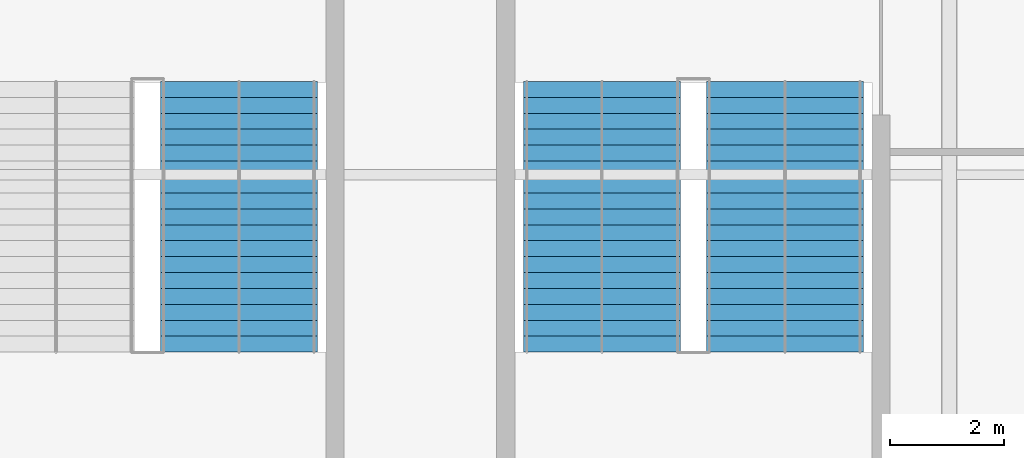
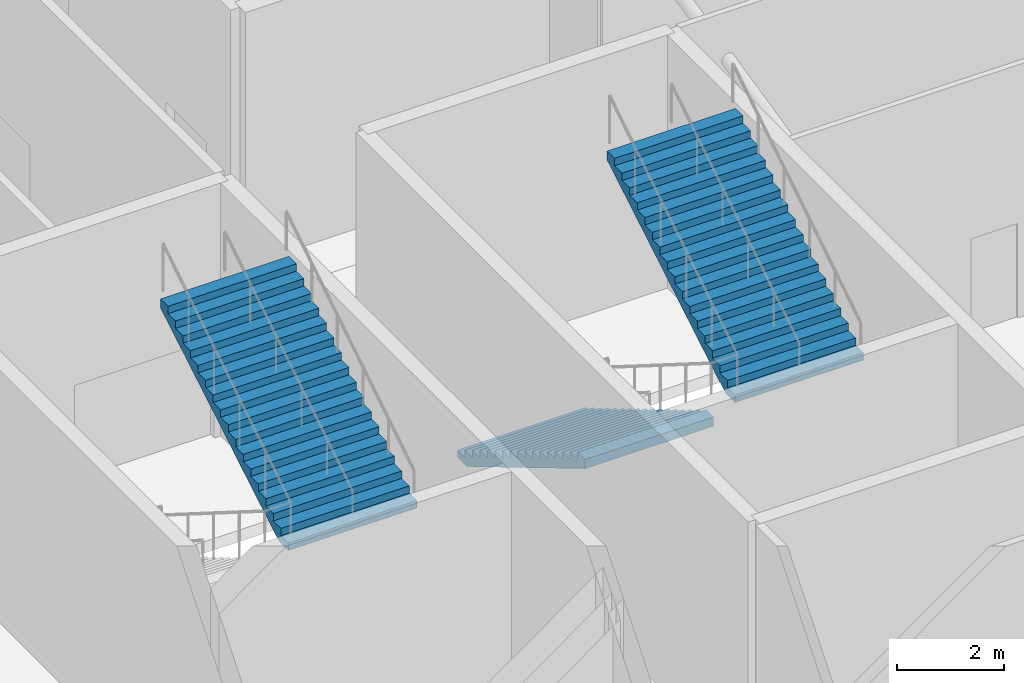
# One storey, part 66 of 84: 3 stair flights, 2 elements without a shape of their own.
"""IFC4 building model written with IfcOpenShell, lengths in metres."""

from ifc_helpers import new_model, si_unit, direction, frame, origin, place, context, subcontext, project, spatial, polygons, material, type_object, element, aggregate, save


model = new_model("IFC4")

# Units and contexts
model_context = context("Model", 3, precision=1e-05, world=origin(), true_north=direction((0.0, 1.0)))
body_context = subcontext(model_context, "Body", "Model", "MODEL_VIEW")
ifc_project = project(units=[si_unit("LENGTHUNIT", "METRE"), si_unit("AREAUNIT", "SQUARE_METRE"), si_unit("VOLUMEUNIT", "CUBIC_METRE"), si_unit("PLANEANGLEUNIT", "RADIAN"), si_unit("MASSUNIT", "GRAM", prefix="KILO")], contexts=[model_context])

# Site, building, storey
site_placement = place(None, origin())
site = spatial("IfcSite", under=ifc_project, at=site_placement, CompositionType="ELEMENT")
building_placement = place(site_placement, origin())
building = spatial("IfcBuilding", under=site, at=building_placement, Name="Kisiwana Market Hall", CompositionType="ELEMENT")
storey_placement = place(building_placement, origin())
storey = spatial("IfcBuildingStorey", under=building, at=storey_placement, Name="L00", CompositionType="ELEMENT", Elevation=0.0)

# Stair, stair flights
ifc_material_1 = material(Name="Concrete C32/40", Category="concrete")
stair_type = type_object("IfcStairType", Name="ST-ESC-6000", PredefinedType="TWO_STRAIGHT_RUN_STAIR", material=ifc_material_1)
stair_1_placement = place(storey_placement, origin())
stair_1 = element("IfcStair", 1, at=stair_1_placement, inside=storey, type_object=stair_type, Name="Escape stair ST-E4-L00", PredefinedType="TWO_STRAIGHT_RUN_STAIR")
ifc_material_2 = material(Name="Concrete C32/40", Category="concrete")
stair_flight_type = type_object("IfcStairFlightType", Name="SF-ESC-6000", PredefinedType="STRAIGHT", material=ifc_material_2)
stair_flight_1_placement = place(storey_placement, frame((182.889892578125, 77.639892578125, 0.0), z_axis=(0.0, 0.0, 1.0), x_axis=(0.0, -1.0, 0.0)))
stair_flight_1 = element("IfcStairFlight", 2, at=stair_flight_1_placement, type_object=stair_flight_type, Name="ST-E4-L00 flight 1", NumberOfRisers=18, NumberOfTreads=17, PredefinedType="STRAIGHT", RiserHeight=0.166667, TreadLength=0.28, context=body_context, shape_type="Tessellation", body=[
    polygons([(0.0, -1.380127, 0.0), (0.0, -0.690125, 0.0), (0.0, -0.000122, 0.0), (0.0, 0.68988, 0.0), (0.0, 1.379883, 0.0), (0.0, -1.380127, 0.166748), (0.0, -0.690125, 0.166748), (0.0, -0.000122, 0.166748), (0.0, 0.68988, 0.166748), (0.0, 1.379883, 0.166748), (0.280029, -1.380127, 0.166748), (0.280029, -0.690125, 0.166748), (0.280029, -0.000122, 0.166748), (0.280029, 0.68988, 0.166748), (0.280029, 1.379883, 0.166748), (0.280029, -1.380127, 0.333252), (0.280029, -0.690125, 0.333252), (0.280029, -0.000122, 0.333252), (0.280029, 0.68988, 0.333252), (0.280029, 1.379883, 0.333252), (0.560059, -1.380127, 0.333252), (0.560059, -0.690125, 0.333252), (0.560059, -0.000122, 0.333252), (0.560059, 0.68988, 0.333252), (0.560059, 1.379883, 0.333252), (0.560059, -1.380127, 0.5), (0.560059, -0.690125, 0.5), (0.560059, -0.000122, 0.5), (0.560059, 0.68988, 0.5), (0.560059, 1.379883, 0.5), (0.840088, -1.380127, 0.5), (0.840088, -0.690125, 0.5), (0.840088, -0.000122, 0.5), (0.840088, 0.68988, 0.5), (0.840088, 1.379883, 0.5), (0.840088, -1.380127, 0.666748), (0.840088, -0.690125, 0.666748), (0.840088, -0.000122, 0.666748), (0.840088, 0.68988, 0.666748), (0.840088, 1.379883, 0.666748), (1.120117, -1.380127, 0.666748), (1.120117, -0.690125, 0.666748), (1.120117, -0.000122, 0.666748), (1.120117, 0.68988, 0.666748), (1.120117, 1.379883, 0.666748), (1.120117, -1.380127, 0.833252), (1.120117, -0.690125, 0.833252), (1.120117, -0.000122, 0.833252), (1.120117, 0.68988, 0.833252), (1.120117, 1.379883, 0.833252), (1.399902, -1.380127, 0.833252), (1.399902, -0.690125, 0.833252), (1.399902, -0.000122, 0.833252), (1.399902, 0.68988, 0.833252), (1.399902, 1.379883, 0.833252), (1.399902, -1.380127, 1.0), (1.399902, -0.690125, 1.0), (1.399902, -0.000122, 1.0), (1.399902, 0.68988, 1.0), (1.399902, 1.379883, 1.0), (1.679932, -1.380127, 1.0), (1.679932, -0.690125, 1.0), (1.679932, -0.000122, 1.0), (1.679932, 0.68988, 1.0), (1.679932, 1.379883, 1.0), (1.679932, -1.380127, 1.166748), (1.679932, -0.690125, 1.166748), (1.679932, -0.000122, 1.166748), (1.679932, 0.68988, 1.166748), (1.679932, 1.379883, 1.166748), (1.959961, -1.380127, 1.166748), (1.959961, -0.690125, 1.166748), (1.959961, -0.000122, 1.166748), (1.959961, 0.68988, 1.166748), (1.959961, 1.379883, 1.166748), (1.959961, -1.380127, 1.333252), (1.959961, -0.690125, 1.333252), (1.959961, -0.000122, 1.333252), (1.959961, 0.68988, 1.333252), (1.959961, 1.379883, 1.333252), (2.23999, -1.380127, 1.333252), (2.23999, -0.690125, 1.333252), (2.23999, -0.000122, 1.333252), (2.23999, 0.68988, 1.333252), (2.23999, 1.379883, 1.333252), (2.23999, -1.380127, 1.5), (2.23999, -0.690125, 1.5), (2.23999, -0.000122, 1.5), (2.23999, 0.68988, 1.5), (2.23999, 1.379883, 1.5), (2.52002, -1.380127, 1.5), (2.52002, -0.690125, 1.5), (2.52002, -0.000122, 1.5), (2.52002, 0.68988, 1.5), (2.52002, 1.379883, 1.5), (2.52002, -1.380127, 1.666748), (2.52002, -0.690125, 1.666748), (2.52002, -0.000122, 1.666748), (2.52002, 0.68988, 1.666748), (2.52002, 1.379883, 1.666748), (2.800049, -1.380127, 1.666748), (2.800049, -0.690125, 1.666748), (2.800049, -0.000122, 1.666748), (2.800049, 0.68988, 1.666748), (2.800049, 1.379883, 1.666748), (2.800049, -1.380127, 1.833252), (2.800049, -0.690125, 1.833252), (2.800049, -0.000122, 1.833252), (2.800049, 0.68988, 1.833252), (2.800049, 1.379883, 1.833252), (3.080078, -1.380127, 1.833252), (3.080078, -0.690125, 1.833252), (3.080078, -0.000122, 1.833252), (3.080078, 0.68988, 1.833252), (3.080078, 1.379883, 1.833252), (3.080078, -1.380127, 2.0), (3.080078, -0.690125, 2.0), (3.080078, -0.000122, 2.0), (3.080078, 0.68988, 2.0), (3.080078, 1.379883, 2.0), (3.360107, -1.380127, 2.0), (3.360107, -0.690125, 2.0), (3.360107, -0.000122, 2.0), (3.360107, 0.68988, 2.0), (3.360107, 1.379883, 2.0), (3.360107, -1.380127, 2.166748), (3.360107, -0.690125, 2.166748), (3.360107, -0.000122, 2.166748), (3.360107, 0.68988, 2.166748), (3.360107, 1.379883, 2.166748), (3.639893, -1.380127, 2.166748), (3.639893, -0.690125, 2.166748), (3.639893, -0.000122, 2.166748), (3.639893, 0.68988, 2.166748), (3.639893, 1.379883, 2.166748), (3.639893, -1.380127, 2.333252), (3.639893, -0.690125, 2.333252), (3.639893, -0.000122, 2.333252), (3.639893, 0.68988, 2.333252), (3.639893, 1.379883, 2.333252), (3.919922, -1.380127, 2.333252), (3.919922, -0.690125, 2.333252), (3.919922, -0.000122, 2.333252), (3.919922, 0.68988, 2.333252), (3.919922, 1.379883, 2.333252), (3.919922, -1.380127, 2.5), (3.919922, -0.690125, 2.5), (3.919922, -0.000122, 2.5), (3.919922, 0.68988, 2.5), (3.919922, 1.379883, 2.5), (4.199951, -1.380127, 2.5), (4.199951, -0.690125, 2.5), (4.199951, -0.000122, 2.5), (4.199951, 0.68988, 2.5), (4.199951, 1.379883, 2.5), (4.199951, -1.380127, 2.666748), (4.199951, -0.690125, 2.666748), (4.199951, -0.000122, 2.666748), (4.199951, 0.68988, 2.666748), (4.199951, 1.379883, 2.666748), (4.47998, -1.380127, 2.666748), (4.47998, -0.690125, 2.666748), (4.47998, -0.000122, 2.666748), (4.47998, 0.68988, 2.666748), (4.47998, 1.379883, 2.666748), (4.47998, -1.380127, 2.833252), (4.47998, -0.690125, 2.833252), (4.47998, -0.000122, 2.833252), (4.47998, 0.68988, 2.833252), (4.47998, 1.379883, 2.833252), (4.76001, -1.380127, 2.833252), (4.76001, -0.690125, 2.833252), (4.76001, -0.000122, 2.833252), (4.76001, 0.68988, 2.833252), (4.76001, 1.379883, 2.833252), (4.76001, -1.380127, 2.624023), (4.76001, -0.690125, 2.624023), (4.76001, -0.000122, 2.624023), (4.76001, 0.68988, 2.624023), (4.76001, 1.379883, 2.624023), (0.351807, -1.380127, 0.0), (0.351807, -0.690125, 0.0), (0.351807, -0.000122, 0.0), (0.351807, 0.68988, 0.0), (0.351807, 1.379883, 0.0)], [[[1, 6, 7, 2]], [[2, 7, 8, 3]], [[3, 8, 9, 4]], [[4, 9, 10, 5]], [[6, 11, 12, 7]], [[7, 12, 13, 8]], [[8, 13, 14, 9]], [[9, 14, 15, 10]], [[11, 16, 17, 12]], [[12, 17, 18, 13]], [[13, 18, 19, 14]], [[14, 19, 20, 15]], [[16, 21, 22, 17]], [[17, 22, 23, 18]], [[18, 23, 24, 19]], [[19, 24, 25, 20]], [[21, 26, 27, 22]], [[22, 27, 28, 23]], [[23, 28, 29, 24]], [[24, 29, 30, 25]], [[26, 31, 32, 27]], [[27, 32, 33, 28]], [[28, 33, 34, 29]], [[29, 34, 35, 30]], [[31, 36, 37, 32]], [[32, 37, 38, 33]], [[33, 38, 39, 34]], [[34, 39, 40, 35]], [[36, 41, 42, 37]], [[37, 42, 43, 38]], [[38, 43, 44, 39]], [[39, 44, 45, 40]], [[41, 46, 47, 42]], [[42, 47, 48, 43]], [[43, 48, 49, 44]], [[44, 49, 50, 45]], [[46, 51, 52, 47]], [[47, 52, 53, 48]], [[48, 53, 54, 49]], [[49, 54, 55, 50]], [[51, 56, 57, 52]], [[52, 57, 58, 53]], [[53, 58, 59, 54]], [[54, 59, 60, 55]], [[56, 61, 62, 57]], [[57, 62, 63, 58]], [[58, 63, 64, 59]], [[59, 64, 65, 60]], [[61, 66, 67, 62]], [[62, 67, 68, 63]], [[63, 68, 69, 64]], [[64, 69, 70, 65]], [[66, 71, 72, 67]], [[67, 72, 73, 68]], [[68, 73, 74, 69]], [[69, 74, 75, 70]], [[71, 76, 77, 72]], [[72, 77, 78, 73]], [[73, 78, 79, 74]], [[74, 79, 80, 75]], [[76, 81, 82, 77]], [[77, 82, 83, 78]], [[78, 83, 84, 79]], [[79, 84, 85, 80]], [[81, 86, 87, 82]], [[82, 87, 88, 83]], [[83, 88, 89, 84]], [[84, 89, 90, 85]], [[86, 91, 92, 87]], [[87, 92, 93, 88]], [[88, 93, 94, 89]], [[89, 94, 95, 90]], [[91, 96, 97, 92]], [[92, 97, 98, 93]], [[93, 98, 99, 94]], [[94, 99, 100, 95]], [[96, 101, 102, 97]], [[97, 102, 103, 98]], [[98, 103, 104, 99]], [[99, 104, 105, 100]], [[101, 106, 107, 102]], [[102, 107, 108, 103]], [[103, 108, 109, 104]], [[104, 109, 110, 105]], [[106, 111, 112, 107]], [[107, 112, 113, 108]], [[108, 113, 114, 109]], [[109, 114, 115, 110]], [[111, 116, 117, 112]], [[112, 117, 118, 113]], [[113, 118, 119, 114]], [[114, 119, 120, 115]], [[116, 121, 122, 117]], [[117, 122, 123, 118]], [[118, 123, 124, 119]], [[119, 124, 125, 120]], [[121, 126, 127, 122]], [[122, 127, 128, 123]], [[123, 128, 129, 124]], [[124, 129, 130, 125]], [[126, 131, 132, 127]], [[127, 132, 133, 128]], [[128, 133, 134, 129]], [[129, 134, 135, 130]], [[131, 136, 137, 132]], [[132, 137, 138, 133]], [[133, 138, 139, 134]], [[134, 139, 140, 135]], [[136, 141, 142, 137]], [[137, 142, 143, 138]], [[138, 143, 144, 139]], [[139, 144, 145, 140]], [[141, 146, 147, 142]], [[142, 147, 148, 143]], [[143, 148, 149, 144]], [[144, 149, 150, 145]], [[146, 151, 152, 147]], [[147, 152, 153, 148]], [[148, 153, 154, 149]], [[149, 154, 155, 150]], [[151, 156, 157, 152]], [[152, 157, 158, 153]], [[153, 158, 159, 154]], [[154, 159, 160, 155]], [[156, 161, 162, 157]], [[157, 162, 163, 158]], [[158, 163, 164, 159]], [[159, 164, 165, 160]], [[161, 166, 167, 162]], [[162, 167, 168, 163]], [[163, 168, 169, 164]], [[164, 169, 170, 165]], [[166, 171, 172, 167]], [[167, 172, 173, 168]], [[168, 173, 174, 169]], [[169, 174, 175, 170]], [[171, 176, 177, 172]], [[172, 177, 178, 173]], [[173, 178, 179, 174]], [[174, 179, 180, 175]], [[176, 181, 182, 177]], [[177, 182, 183, 178]], [[178, 183, 184, 179]], [[179, 184, 185, 180]], [[181, 1, 2, 182]], [[182, 2, 3, 183]], [[183, 3, 4, 184]], [[184, 4, 5, 185]], [[181, 176, 171, 166, 161, 156, 151, 146, 141, 136, 131, 126, 121, 116, 111, 106, 101, 96, 91, 86, 81, 76, 71, 66, 61, 56, 51, 46, 41, 36, 31, 26, 21, 16, 11, 6, 1]], [[5, 10, 15, 20, 25, 30, 35, 40, 45, 50, 55, 60, 65, 70, 75, 80, 85, 90, 95, 100, 105, 110, 115, 120, 125, 130, 135, 140, 145, 150, 155, 160, 165, 170, 175, 180, 185]]], closed=True),
])
stair_flight_2_placement = place(storey_placement, frame((186.110107421875, 72.8798828125, 3.0), z_axis=(0.0, 0.0, 1.0), x_axis=(0.0, 1.0, 0.0)))
stair_flight_2 = element("IfcStairFlight", 3, at=stair_flight_2_placement, type_object=stair_flight_type, Name="ST-E4-L00 flight 2", NumberOfRisers=18, NumberOfTreads=17, PredefinedType="STRAIGHT", RiserHeight=0.166667, TreadLength=0.28, context=body_context, shape_type="Tessellation", body=[
    polygons([(0.0, -1.380127, 0.0), (0.0, -0.690125, 0.0), (0.0, -0.000122, 0.0), (0.0, 0.68988, 0.0), (0.0, 1.379883, 0.0), (0.0, -1.380127, 0.166748), (0.0, -0.690125, 0.166748), (0.0, -0.000122, 0.166748), (0.0, 0.68988, 0.166748), (0.0, 1.379883, 0.166748), (0.280029, -1.380127, 0.166748), (0.280029, -0.690125, 0.166748), (0.280029, -0.000122, 0.166748), (0.280029, 0.68988, 0.166748), (0.280029, 1.379883, 0.166748), (0.280029, -1.380127, 0.333252), (0.280029, -0.690125, 0.333252), (0.280029, -0.000122, 0.333252), (0.280029, 0.68988, 0.333252), (0.280029, 1.379883, 0.333252), (0.560059, -1.380127, 0.333252), (0.560059, -0.690125, 0.333252), (0.560059, -0.000122, 0.333252), (0.560059, 0.68988, 0.333252), (0.560059, 1.379883, 0.333252), (0.560059, -1.380127, 0.5), (0.560059, -0.690125, 0.5), (0.560059, -0.000122, 0.5), (0.560059, 0.68988, 0.5), (0.560059, 1.379883, 0.5), (0.840088, -1.380127, 0.5), (0.840088, -0.690125, 0.5), (0.840088, -0.000122, 0.5), (0.840088, 0.68988, 0.5), (0.840088, 1.379883, 0.5), (0.840088, -1.380127, 0.666748), (0.840088, -0.690125, 0.666748), (0.840088, -0.000122, 0.666748), (0.840088, 0.68988, 0.666748), (0.840088, 1.379883, 0.666748), (1.120117, -1.380127, 0.666748), (1.120117, -0.690125, 0.666748), (1.120117, -0.000122, 0.666748), (1.120117, 0.68988, 0.666748), (1.120117, 1.379883, 0.666748), (1.120117, -1.380127, 0.833252), (1.120117, -0.690125, 0.833252), (1.120117, -0.000122, 0.833252), (1.120117, 0.68988, 0.833252), (1.120117, 1.379883, 0.833252), (1.399902, -1.380127, 0.833252), (1.399902, -0.690125, 0.833252), (1.399902, -0.000122, 0.833252), (1.399902, 0.68988, 0.833252), (1.399902, 1.379883, 0.833252), (1.399902, -1.380127, 1.0), (1.399902, -0.690125, 1.0), (1.399902, -0.000122, 1.0), (1.399902, 0.68988, 1.0), (1.399902, 1.379883, 1.0), (1.679932, -1.380127, 1.0), (1.679932, -0.690125, 1.0), (1.679932, -0.000122, 1.0), (1.679932, 0.68988, 1.0), (1.679932, 1.379883, 1.0), (1.679932, -1.380127, 1.166748), (1.679932, -0.690125, 1.166748), (1.679932, -0.000122, 1.166748), (1.679932, 0.68988, 1.166748), (1.679932, 1.379883, 1.166748), (1.959961, -1.380127, 1.166748), (1.959961, -0.690125, 1.166748), (1.959961, -0.000122, 1.166748), (1.959961, 0.68988, 1.166748), (1.959961, 1.379883, 1.166748), (1.959961, -1.380127, 1.333252), (1.959961, -0.690125, 1.333252), (1.959961, -0.000122, 1.333252), (1.959961, 0.68988, 1.333252), (1.959961, 1.379883, 1.333252), (2.23999, -1.380127, 1.333252), (2.23999, -0.690125, 1.333252), (2.23999, -0.000122, 1.333252), (2.23999, 0.68988, 1.333252), (2.23999, 1.379883, 1.333252), (2.23999, -1.380127, 1.5), (2.23999, -0.690125, 1.5), (2.23999, -0.000122, 1.5), (2.23999, 0.68988, 1.5), (2.23999, 1.379883, 1.5), (2.52002, -1.380127, 1.5), (2.52002, -0.690125, 1.5), (2.52002, -0.000122, 1.5), (2.52002, 0.68988, 1.5), (2.52002, 1.379883, 1.5), (2.52002, -1.380127, 1.666748), (2.52002, -0.690125, 1.666748), (2.52002, -0.000122, 1.666748), (2.52002, 0.68988, 1.666748), (2.52002, 1.379883, 1.666748), (2.800049, -1.380127, 1.666748), (2.800049, -0.690125, 1.666748), (2.800049, -0.000122, 1.666748), (2.800049, 0.68988, 1.666748), (2.800049, 1.379883, 1.666748), (2.800049, -1.380127, 1.833252), (2.800049, -0.690125, 1.833252), (2.800049, -0.000122, 1.833252), (2.800049, 0.68988, 1.833252), (2.800049, 1.379883, 1.833252), (3.080078, -1.380127, 1.833252), (3.080078, -0.690125, 1.833252), (3.080078, -0.000122, 1.833252), (3.080078, 0.68988, 1.833252), (3.080078, 1.379883, 1.833252), (3.080078, -1.380127, 2.0), (3.080078, -0.690125, 2.0), (3.080078, -0.000122, 2.0), (3.080078, 0.68988, 2.0), (3.080078, 1.379883, 2.0), (3.360107, -1.380127, 2.0), (3.360107, -0.690125, 2.0), (3.360107, -0.000122, 2.0), (3.360107, 0.68988, 2.0), (3.360107, 1.379883, 2.0), (3.360107, -1.380127, 2.166748), (3.360107, -0.690125, 2.166748), (3.360107, -0.000122, 2.166748), (3.360107, 0.68988, 2.166748), (3.360107, 1.379883, 2.166748), (3.639893, -1.380127, 2.166748), (3.639893, -0.690125, 2.166748), (3.639893, -0.000122, 2.166748), (3.639893, 0.68988, 2.166748), (3.639893, 1.379883, 2.166748), (3.639893, -1.380127, 2.333252), (3.639893, -0.690125, 2.333252), (3.639893, -0.000122, 2.333252), (3.639893, 0.68988, 2.333252), (3.639893, 1.379883, 2.333252), (3.919922, -1.380127, 2.333252), (3.919922, -0.690125, 2.333252), (3.919922, -0.000122, 2.333252), (3.919922, 0.68988, 2.333252), (3.919922, 1.379883, 2.333252), (3.919922, -1.380127, 2.5), (3.919922, -0.690125, 2.5), (3.919922, -0.000122, 2.5), (3.919922, 0.68988, 2.5), (3.919922, 1.379883, 2.5), (4.199951, -1.380127, 2.5), (4.199951, -0.690125, 2.5), (4.199951, -0.000122, 2.5), (4.199951, 0.68988, 2.5), (4.199951, 1.379883, 2.5), (4.199951, -1.380127, 2.666748), (4.199951, -0.690125, 2.666748), (4.199951, -0.000122, 2.666748), (4.199951, 0.68988, 2.666748), (4.199951, 1.379883, 2.666748), (4.47998, -1.380127, 2.666748), (4.47998, -0.690125, 2.666748), (4.47998, -0.000122, 2.666748), (4.47998, 0.68988, 2.666748), (4.47998, 1.379883, 2.666748), (4.47998, -1.380127, 2.833252), (4.47998, -0.690125, 2.833252), (4.47998, -0.000122, 2.833252), (4.47998, 0.68988, 2.833252), (4.47998, 1.379883, 2.833252), (4.76001, -1.380127, 2.833252), (4.76001, -0.690125, 2.833252), (4.76001, -0.000122, 2.833252), (4.76001, 0.68988, 2.833252), (4.76001, 1.379883, 2.833252), (4.76001, -1.380127, 2.624023), (4.76001, -0.690125, 2.624023), (4.76001, -0.000122, 2.624023), (4.76001, 0.68988, 2.624023), (4.76001, 1.379883, 2.624023), (0.351807, -1.380127, 0.0), (0.351807, -0.690125, 0.0), (0.351807, -0.000122, 0.0), (0.351807, 0.68988, 0.0), (0.351807, 1.379883, 0.0)], [[[1, 6, 7, 2]], [[2, 7, 8, 3]], [[3, 8, 9, 4]], [[4, 9, 10, 5]], [[6, 11, 12, 7]], [[7, 12, 13, 8]], [[8, 13, 14, 9]], [[9, 14, 15, 10]], [[11, 16, 17, 12]], [[12, 17, 18, 13]], [[13, 18, 19, 14]], [[14, 19, 20, 15]], [[16, 21, 22, 17]], [[17, 22, 23, 18]], [[18, 23, 24, 19]], [[19, 24, 25, 20]], [[21, 26, 27, 22]], [[22, 27, 28, 23]], [[23, 28, 29, 24]], [[24, 29, 30, 25]], [[26, 31, 32, 27]], [[27, 32, 33, 28]], [[28, 33, 34, 29]], [[29, 34, 35, 30]], [[31, 36, 37, 32]], [[32, 37, 38, 33]], [[33, 38, 39, 34]], [[34, 39, 40, 35]], [[36, 41, 42, 37]], [[37, 42, 43, 38]], [[38, 43, 44, 39]], [[39, 44, 45, 40]], [[41, 46, 47, 42]], [[42, 47, 48, 43]], [[43, 48, 49, 44]], [[44, 49, 50, 45]], [[46, 51, 52, 47]], [[47, 52, 53, 48]], [[48, 53, 54, 49]], [[49, 54, 55, 50]], [[51, 56, 57, 52]], [[52, 57, 58, 53]], [[53, 58, 59, 54]], [[54, 59, 60, 55]], [[56, 61, 62, 57]], [[57, 62, 63, 58]], [[58, 63, 64, 59]], [[59, 64, 65, 60]], [[61, 66, 67, 62]], [[62, 67, 68, 63]], [[63, 68, 69, 64]], [[64, 69, 70, 65]], [[66, 71, 72, 67]], [[67, 72, 73, 68]], [[68, 73, 74, 69]], [[69, 74, 75, 70]], [[71, 76, 77, 72]], [[72, 77, 78, 73]], [[73, 78, 79, 74]], [[74, 79, 80, 75]], [[76, 81, 82, 77]], [[77, 82, 83, 78]], [[78, 83, 84, 79]], [[79, 84, 85, 80]], [[81, 86, 87, 82]], [[82, 87, 88, 83]], [[83, 88, 89, 84]], [[84, 89, 90, 85]], [[86, 91, 92, 87]], [[87, 92, 93, 88]], [[88, 93, 94, 89]], [[89, 94, 95, 90]], [[91, 96, 97, 92]], [[92, 97, 98, 93]], [[93, 98, 99, 94]], [[94, 99, 100, 95]], [[96, 101, 102, 97]], [[97, 102, 103, 98]], [[98, 103, 104, 99]], [[99, 104, 105, 100]], [[101, 106, 107, 102]], [[102, 107, 108, 103]], [[103, 108, 109, 104]], [[104, 109, 110, 105]], [[106, 111, 112, 107]], [[107, 112, 113, 108]], [[108, 113, 114, 109]], [[109, 114, 115, 110]], [[111, 116, 117, 112]], [[112, 117, 118, 113]], [[113, 118, 119, 114]], [[114, 119, 120, 115]], [[116, 121, 122, 117]], [[117, 122, 123, 118]], [[118, 123, 124, 119]], [[119, 124, 125, 120]], [[121, 126, 127, 122]], [[122, 127, 128, 123]], [[123, 128, 129, 124]], [[124, 129, 130, 125]], [[126, 131, 132, 127]], [[127, 132, 133, 128]], [[128, 133, 134, 129]], [[129, 134, 135, 130]], [[131, 136, 137, 132]], [[132, 137, 138, 133]], [[133, 138, 139, 134]], [[134, 139, 140, 135]], [[136, 141, 142, 137]], [[137, 142, 143, 138]], [[138, 143, 144, 139]], [[139, 144, 145, 140]], [[141, 146, 147, 142]], [[142, 147, 148, 143]], [[143, 148, 149, 144]], [[144, 149, 150, 145]], [[146, 151, 152, 147]], [[147, 152, 153, 148]], [[148, 153, 154, 149]], [[149, 154, 155, 150]], [[151, 156, 157, 152]], [[152, 157, 158, 153]], [[153, 158, 159, 154]], [[154, 159, 160, 155]], [[156, 161, 162, 157]], [[157, 162, 163, 158]], [[158, 163, 164, 159]], [[159, 164, 165, 160]], [[161, 166, 167, 162]], [[162, 167, 168, 163]], [[163, 168, 169, 164]], [[164, 169, 170, 165]], [[166, 171, 172, 167]], [[167, 172, 173, 168]], [[168, 173, 174, 169]], [[169, 174, 175, 170]], [[171, 176, 177, 172]], [[172, 177, 178, 173]], [[173, 178, 179, 174]], [[174, 179, 180, 175]], [[176, 181, 182, 177]], [[177, 182, 183, 178]], [[178, 183, 184, 179]], [[179, 184, 185, 180]], [[181, 1, 2, 182]], [[182, 2, 3, 183]], [[183, 3, 4, 184]], [[184, 4, 5, 185]], [[181, 176, 171, 166, 161, 156, 151, 146, 141, 136, 131, 126, 121, 116, 111, 106, 101, 96, 91, 86, 81, 76, 71, 66, 61, 56, 51, 46, 41, 36, 31, 26, 21, 16, 11, 6, 1]], [[5, 10, 15, 20, 25, 30, 35, 40, 45, 50, 55, 60, 65, 70, 75, 80, 85, 90, 95, 100, 105, 110, 115, 120, 125, 130, 135, 140, 145, 150, 155, 160, 165, 170, 175, 180, 185]]], closed=True),
])
aggregate(stair_1, [stair_flight_1, stair_flight_2])

# Stair, stair flight
stair_2_placement = place(storey_placement, origin())
stair_2 = element("IfcStair", 4, at=stair_2_placement, inside=storey, type_object=stair_type, Name="Escape stair ST-E8-L00", PredefinedType="TWO_STRAIGHT_RUN_STAIR")
stair_flight_3_placement = place(storey_placement, frame((176.510009765625, 72.8798828125, 3.0), z_axis=(0.0, 0.0, 1.0), x_axis=(0.0, 1.0, 0.0)))
stair_flight_3 = element("IfcStairFlight", 5, at=stair_flight_3_placement, type_object=stair_flight_type, Name="ST-E8-L00 flight 2", NumberOfRisers=18, NumberOfTreads=17, PredefinedType="STRAIGHT", RiserHeight=0.166667, TreadLength=0.28, context=body_context, shape_type="Tessellation", body=[
    polygons([(0.0, -1.380127, 0.0), (0.0, -0.690125, 0.0), (0.0, -0.000122, 0.0), (0.0, 0.68988, 0.0), (0.0, 1.379883, 0.0), (0.0, -1.380127, 0.166748), (0.0, -0.690125, 0.166748), (0.0, -0.000122, 0.166748), (0.0, 0.68988, 0.166748), (0.0, 1.379883, 0.166748), (0.280029, -1.380127, 0.166748), (0.280029, -0.690125, 0.166748), (0.280029, -0.000122, 0.166748), (0.280029, 0.68988, 0.166748), (0.280029, 1.379883, 0.166748), (0.280029, -1.380127, 0.333252), (0.280029, -0.690125, 0.333252), (0.280029, -0.000122, 0.333252), (0.280029, 0.68988, 0.333252), (0.280029, 1.379883, 0.333252), (0.560059, -1.380127, 0.333252), (0.560059, -0.690125, 0.333252), (0.560059, -0.000122, 0.333252), (0.560059, 0.68988, 0.333252), (0.560059, 1.379883, 0.333252), (0.560059, -1.380127, 0.5), (0.560059, -0.690125, 0.5), (0.560059, -0.000122, 0.5), (0.560059, 0.68988, 0.5), (0.560059, 1.379883, 0.5), (0.840088, -1.380127, 0.5), (0.840088, -0.690125, 0.5), (0.840088, -0.000122, 0.5), (0.840088, 0.68988, 0.5), (0.840088, 1.379883, 0.5), (0.840088, -1.380127, 0.666748), (0.840088, -0.690125, 0.666748), (0.840088, -0.000122, 0.666748), (0.840088, 0.68988, 0.666748), (0.840088, 1.379883, 0.666748), (1.120117, -1.380127, 0.666748), (1.120117, -0.690125, 0.666748), (1.120117, -0.000122, 0.666748), (1.120117, 0.68988, 0.666748), (1.120117, 1.379883, 0.666748), (1.120117, -1.380127, 0.833252), (1.120117, -0.690125, 0.833252), (1.120117, -0.000122, 0.833252), (1.120117, 0.68988, 0.833252), (1.120117, 1.379883, 0.833252), (1.399902, -1.380127, 0.833252), (1.399902, -0.690125, 0.833252), (1.399902, -0.000122, 0.833252), (1.399902, 0.68988, 0.833252), (1.399902, 1.379883, 0.833252), (1.399902, -1.380127, 1.0), (1.399902, -0.690125, 1.0), (1.399902, -0.000122, 1.0), (1.399902, 0.68988, 1.0), (1.399902, 1.379883, 1.0), (1.679932, -1.380127, 1.0), (1.679932, -0.690125, 1.0), (1.679932, -0.000122, 1.0), (1.679932, 0.68988, 1.0), (1.679932, 1.379883, 1.0), (1.679932, -1.380127, 1.166748), (1.679932, -0.690125, 1.166748), (1.679932, -0.000122, 1.166748), (1.679932, 0.68988, 1.166748), (1.679932, 1.379883, 1.166748), (1.959961, -1.380127, 1.166748), (1.959961, -0.690125, 1.166748), (1.959961, -0.000122, 1.166748), (1.959961, 0.68988, 1.166748), (1.959961, 1.379883, 1.166748), (1.959961, -1.380127, 1.333252), (1.959961, -0.690125, 1.333252), (1.959961, -0.000122, 1.333252), (1.959961, 0.68988, 1.333252), (1.959961, 1.379883, 1.333252), (2.23999, -1.380127, 1.333252), (2.23999, -0.690125, 1.333252), (2.23999, -0.000122, 1.333252), (2.23999, 0.68988, 1.333252), (2.23999, 1.379883, 1.333252), (2.23999, -1.380127, 1.5), (2.23999, -0.690125, 1.5), (2.23999, -0.000122, 1.5), (2.23999, 0.68988, 1.5), (2.23999, 1.379883, 1.5), (2.52002, -1.380127, 1.5), (2.52002, -0.690125, 1.5), (2.52002, -0.000122, 1.5), (2.52002, 0.68988, 1.5), (2.52002, 1.379883, 1.5), (2.52002, -1.380127, 1.666748), (2.52002, -0.690125, 1.666748), (2.52002, -0.000122, 1.666748), (2.52002, 0.68988, 1.666748), (2.52002, 1.379883, 1.666748), (2.800049, -1.380127, 1.666748), (2.800049, -0.690125, 1.666748), (2.800049, -0.000122, 1.666748), (2.800049, 0.68988, 1.666748), (2.800049, 1.379883, 1.666748), (2.800049, -1.380127, 1.833252), (2.800049, -0.690125, 1.833252), (2.800049, -0.000122, 1.833252), (2.800049, 0.68988, 1.833252), (2.800049, 1.379883, 1.833252), (3.080078, -1.380127, 1.833252), (3.080078, -0.690125, 1.833252), (3.080078, -0.000122, 1.833252), (3.080078, 0.68988, 1.833252), (3.080078, 1.379883, 1.833252), (3.080078, -1.380127, 2.0), (3.080078, -0.690125, 2.0), (3.080078, -0.000122, 2.0), (3.080078, 0.68988, 2.0), (3.080078, 1.379883, 2.0), (3.360107, -1.380127, 2.0), (3.360107, -0.690125, 2.0), (3.360107, -0.000122, 2.0), (3.360107, 0.68988, 2.0), (3.360107, 1.379883, 2.0), (3.360107, -1.380127, 2.166748), (3.360107, -0.690125, 2.166748), (3.360107, -0.000122, 2.166748), (3.360107, 0.68988, 2.166748), (3.360107, 1.379883, 2.166748), (3.639893, -1.380127, 2.166748), (3.639893, -0.690125, 2.166748), (3.639893, -0.000122, 2.166748), (3.639893, 0.68988, 2.166748), (3.639893, 1.379883, 2.166748), (3.639893, -1.380127, 2.333252), (3.639893, -0.690125, 2.333252), (3.639893, -0.000122, 2.333252), (3.639893, 0.68988, 2.333252), (3.639893, 1.379883, 2.333252), (3.919922, -1.380127, 2.333252), (3.919922, -0.690125, 2.333252), (3.919922, -0.000122, 2.333252), (3.919922, 0.68988, 2.333252), (3.919922, 1.379883, 2.333252), (3.919922, -1.380127, 2.5), (3.919922, -0.690125, 2.5), (3.919922, -0.000122, 2.5), (3.919922, 0.68988, 2.5), (3.919922, 1.379883, 2.5), (4.199951, -1.380127, 2.5), (4.199951, -0.690125, 2.5), (4.199951, -0.000122, 2.5), (4.199951, 0.68988, 2.5), (4.199951, 1.379883, 2.5), (4.199951, -1.380127, 2.666748), (4.199951, -0.690125, 2.666748), (4.199951, -0.000122, 2.666748), (4.199951, 0.68988, 2.666748), (4.199951, 1.379883, 2.666748), (4.47998, -1.380127, 2.666748), (4.47998, -0.690125, 2.666748), (4.47998, -0.000122, 2.666748), (4.47998, 0.68988, 2.666748), (4.47998, 1.379883, 2.666748), (4.47998, -1.380127, 2.833252), (4.47998, -0.690125, 2.833252), (4.47998, -0.000122, 2.833252), (4.47998, 0.68988, 2.833252), (4.47998, 1.379883, 2.833252), (4.76001, -1.380127, 2.833252), (4.76001, -0.690125, 2.833252), (4.76001, -0.000122, 2.833252), (4.76001, 0.68988, 2.833252), (4.76001, 1.379883, 2.833252), (4.76001, -1.380127, 2.624023), (4.76001, -0.690125, 2.624023), (4.76001, -0.000122, 2.624023), (4.76001, 0.68988, 2.624023), (4.76001, 1.379883, 2.624023), (0.351807, -1.380127, 0.0), (0.351807, -0.690125, 0.0), (0.351807, -0.000122, 0.0), (0.351807, 0.68988, 0.0), (0.351807, 1.379883, 0.0)], [[[1, 6, 7, 2]], [[2, 7, 8, 3]], [[3, 8, 9, 4]], [[4, 9, 10, 5]], [[6, 11, 12, 7]], [[7, 12, 13, 8]], [[8, 13, 14, 9]], [[9, 14, 15, 10]], [[11, 16, 17, 12]], [[12, 17, 18, 13]], [[13, 18, 19, 14]], [[14, 19, 20, 15]], [[16, 21, 22, 17]], [[17, 22, 23, 18]], [[18, 23, 24, 19]], [[19, 24, 25, 20]], [[21, 26, 27, 22]], [[22, 27, 28, 23]], [[23, 28, 29, 24]], [[24, 29, 30, 25]], [[26, 31, 32, 27]], [[27, 32, 33, 28]], [[28, 33, 34, 29]], [[29, 34, 35, 30]], [[31, 36, 37, 32]], [[32, 37, 38, 33]], [[33, 38, 39, 34]], [[34, 39, 40, 35]], [[36, 41, 42, 37]], [[37, 42, 43, 38]], [[38, 43, 44, 39]], [[39, 44, 45, 40]], [[41, 46, 47, 42]], [[42, 47, 48, 43]], [[43, 48, 49, 44]], [[44, 49, 50, 45]], [[46, 51, 52, 47]], [[47, 52, 53, 48]], [[48, 53, 54, 49]], [[49, 54, 55, 50]], [[51, 56, 57, 52]], [[52, 57, 58, 53]], [[53, 58, 59, 54]], [[54, 59, 60, 55]], [[56, 61, 62, 57]], [[57, 62, 63, 58]], [[58, 63, 64, 59]], [[59, 64, 65, 60]], [[61, 66, 67, 62]], [[62, 67, 68, 63]], [[63, 68, 69, 64]], [[64, 69, 70, 65]], [[66, 71, 72, 67]], [[67, 72, 73, 68]], [[68, 73, 74, 69]], [[69, 74, 75, 70]], [[71, 76, 77, 72]], [[72, 77, 78, 73]], [[73, 78, 79, 74]], [[74, 79, 80, 75]], [[76, 81, 82, 77]], [[77, 82, 83, 78]], [[78, 83, 84, 79]], [[79, 84, 85, 80]], [[81, 86, 87, 82]], [[82, 87, 88, 83]], [[83, 88, 89, 84]], [[84, 89, 90, 85]], [[86, 91, 92, 87]], [[87, 92, 93, 88]], [[88, 93, 94, 89]], [[89, 94, 95, 90]], [[91, 96, 97, 92]], [[92, 97, 98, 93]], [[93, 98, 99, 94]], [[94, 99, 100, 95]], [[96, 101, 102, 97]], [[97, 102, 103, 98]], [[98, 103, 104, 99]], [[99, 104, 105, 100]], [[101, 106, 107, 102]], [[102, 107, 108, 103]], [[103, 108, 109, 104]], [[104, 109, 110, 105]], [[106, 111, 112, 107]], [[107, 112, 113, 108]], [[108, 113, 114, 109]], [[109, 114, 115, 110]], [[111, 116, 117, 112]], [[112, 117, 118, 113]], [[113, 118, 119, 114]], [[114, 119, 120, 115]], [[116, 121, 122, 117]], [[117, 122, 123, 118]], [[118, 123, 124, 119]], [[119, 124, 125, 120]], [[121, 126, 127, 122]], [[122, 127, 128, 123]], [[123, 128, 129, 124]], [[124, 129, 130, 125]], [[126, 131, 132, 127]], [[127, 132, 133, 128]], [[128, 133, 134, 129]], [[129, 134, 135, 130]], [[131, 136, 137, 132]], [[132, 137, 138, 133]], [[133, 138, 139, 134]], [[134, 139, 140, 135]], [[136, 141, 142, 137]], [[137, 142, 143, 138]], [[138, 143, 144, 139]], [[139, 144, 145, 140]], [[141, 146, 147, 142]], [[142, 147, 148, 143]], [[143, 148, 149, 144]], [[144, 149, 150, 145]], [[146, 151, 152, 147]], [[147, 152, 153, 148]], [[148, 153, 154, 149]], [[149, 154, 155, 150]], [[151, 156, 157, 152]], [[152, 157, 158, 153]], [[153, 158, 159, 154]], [[154, 159, 160, 155]], [[156, 161, 162, 157]], [[157, 162, 163, 158]], [[158, 163, 164, 159]], [[159, 164, 165, 160]], [[161, 166, 167, 162]], [[162, 167, 168, 163]], [[163, 168, 169, 164]], [[164, 169, 170, 165]], [[166, 171, 172, 167]], [[167, 172, 173, 168]], [[168, 173, 174, 169]], [[169, 174, 175, 170]], [[171, 176, 177, 172]], [[172, 177, 178, 173]], [[173, 178, 179, 174]], [[174, 179, 180, 175]], [[176, 181, 182, 177]], [[177, 182, 183, 178]], [[178, 183, 184, 179]], [[179, 184, 185, 180]], [[181, 1, 2, 182]], [[182, 2, 3, 183]], [[183, 3, 4, 184]], [[184, 4, 5, 185]], [[181, 176, 171, 166, 161, 156, 151, 146, 141, 136, 131, 126, 121, 116, 111, 106, 101, 96, 91, 86, 81, 76, 71, 66, 61, 56, 51, 46, 41, 36, 31, 26, 21, 16, 11, 6, 1]], [[5, 10, 15, 20, 25, 30, 35, 40, 45, 50, 55, 60, 65, 70, 75, 80, 85, 90, 95, 100, 105, 110, 115, 120, 125, 130, 135, 140, 145, 150, 155, 160, 165, 170, 175, 180, 185]]], closed=True),
])
aggregate(stair_2, [stair_flight_3])

save(model, "model.ifc")
